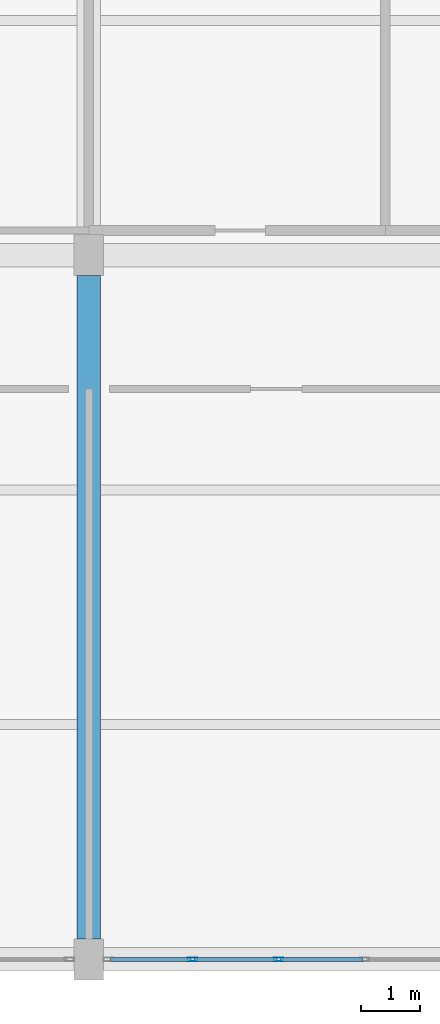
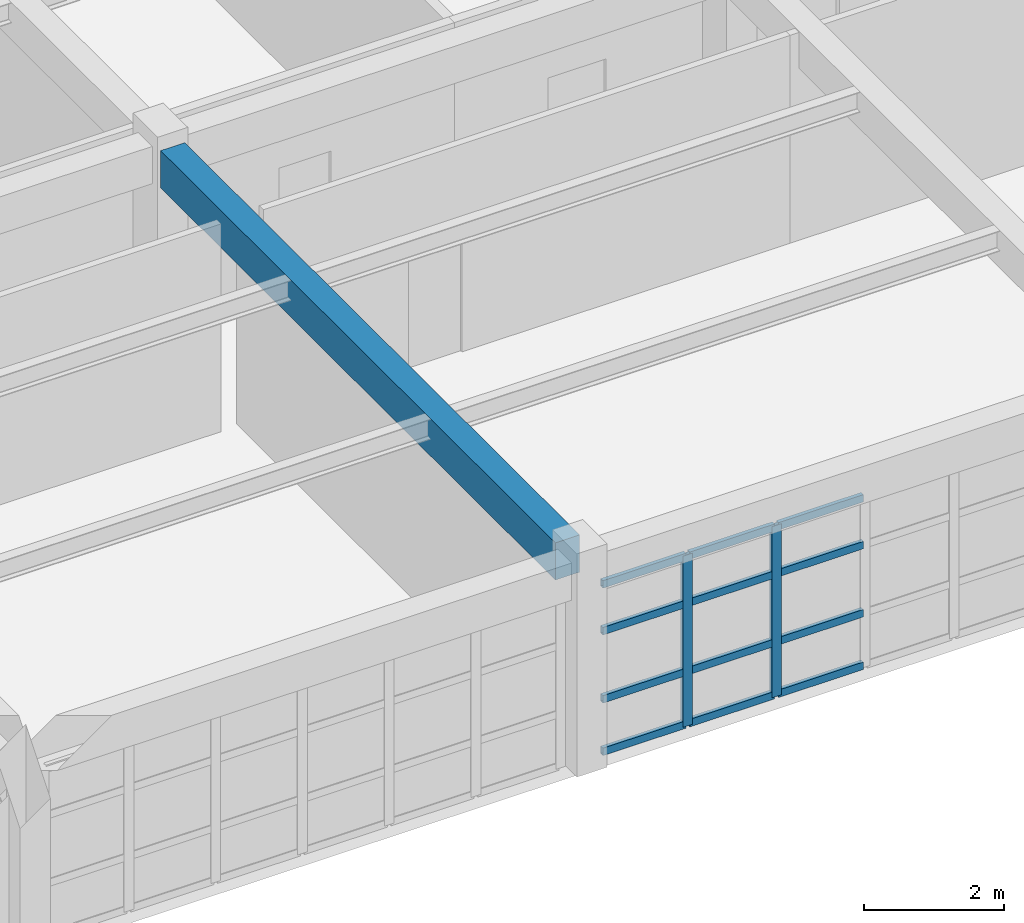
# One storey, part 24 of 150: 14 members, 1 beam, 1 element without a shape of its own.
"""IFC4 building model written with IfcOpenShell, lengths in metres."""

from ifc_helpers import new_model, si_unit, direction, frame, origin, origin_2d, place, context, subcontext, project, spatial, rectangle, hollow_rectangle, extrude, material, material_profile, profile_set, type_object, element, aggregate, save


model = new_model("IFC4")

# Units and contexts
model_context = context("Model", 3, precision=1e-05, world=origin(), true_north=direction((0.0, 1.0)))
body_context = subcontext(model_context, "Body", "Model", "MODEL_VIEW")
ifc_project = project(units=[si_unit("LENGTHUNIT", "METRE"), si_unit("AREAUNIT", "SQUARE_METRE"), si_unit("VOLUMEUNIT", "CUBIC_METRE"), si_unit("PLANEANGLEUNIT", "RADIAN"), si_unit("MASSUNIT", "GRAM", prefix="KILO")], contexts=[model_context])

# Site, building, storey
site_placement = place(None, origin())
site = spatial("IfcSite", under=ifc_project, at=site_placement, CompositionType="ELEMENT")
building_placement = place(site_placement, origin())
building = spatial("IfcBuilding", under=site, at=building_placement, Name="Kestramere Prow Commons", CompositionType="ELEMENT")
storey_placement = place(building_placement, frame((0.0, 0.0, 4.5)))
storey = spatial("IfcBuildingStorey", under=building, at=storey_placement, Name="L01", CompositionType="ELEMENT", Elevation=4.5)

# Beam
ifc_material_1 = material(Name="Precast concrete C40/50", Category="concrete")
ifc_material_profile_1 = material_profile(ifc_material_1, rectangle(XDim=0.39990234375, YDim=0.64990234375, at=origin_2d()), Name="PC-BM 400x650")
ifc_profile_set_1 = profile_set([ifc_material_profile_1], Name="Precast concrete C40/50")
beam_type = type_object("IfcBeamType", Name="BM-MK-01 PC-BM 400x650", PredefinedType="BEAM", material=ifc_profile_set_1)
beam_placement = place(storey_placement, frame((94.199951171875, 0.35009765625, 3.324951171875), z_axis=(0.0, 1.0, 0.0), x_axis=(-1.0, 0.0, 0.0)))
element("IfcBeam", 1, at=beam_placement, inside=storey, type_object=beam_type, Name="Market Spine L01 Beam Y 5-1", PredefinedType="BEAM", context=body_context, shape_type="SweptSolid", body=[
    extrude(rectangle(XDim=0.39990234375, YDim=0.64990234375, at=origin_2d()), origin(), (0.0, 0.0, 1.0), 11.2998046875),
])

# Curtain wall, members
ifc_material_2 = material(Name="Anodised Aluminium and Low-E Glass", Category="aluminium")
curtain_wall_type = type_object("IfcCurtainWallType", Name="CW-26 Glazed Curtain Wall 8800x2990", PredefinedType="USERDEFINED", material=ifc_material_2)
curtain_wall_placement = place(storey_placement, origin())
curtain_wall = element("IfcCurtainWall", 2, at=curtain_wall_placement, inside=storey, type_object=curtain_wall_type, Name="Market L01 South Shopfront 5", ObjectType="GLAZED CURTAIN WALL", PredefinedType="USERDEFINED")
ifc_material_3 = material(Name="Anodised Aluminium 6063-T6", Category="aluminium")
ifc_material_profile_2 = material_profile(ifc_material_3, hollow_rectangle(XDim=0.06494140625, YDim=0.159912109375, WallThickness=0.00390625, at=origin_2d()), Name="ALU-MUL 65x160")
ifc_profile_set_2 = profile_set([ifc_material_profile_2], Name="Anodised Aluminium 6063-T6")
member_type_1 = type_object("IfcMemberType", Name="CW-MUL-65x160", PredefinedType="MULLION", material=ifc_profile_set_2)
member_1_placement = place(storey_placement, frame((97.433349609375, 0.0, 0.0), z_axis=(0.0, 0.0, 1.0), x_axis=(0.0, -1.0, 0.0)))
member_1 = element("IfcMember", 3, at=member_1_placement, type_object=member_type_1, Name="CW-26 mullion 5", PredefinedType="MULLION", context=body_context, shape_type="SweptSolid", body=[
    extrude(hollow_rectangle(XDim=0.06494140625, YDim=0.159912109375, WallThickness=0.00390625, at=origin_2d()), origin(), (0.0, 0.0, 1.0), 2.989990234375),
])
member_2_placement = place(storey_placement, frame((95.966552734375, 0.0, 0.0), z_axis=(0.0, 0.0, 1.0), x_axis=(0.0, -1.0, 0.0)))
member_2 = element("IfcMember", 4, at=member_2_placement, type_object=member_type_1, Name="CW-26 mullion 6", PredefinedType="MULLION", context=body_context, shape_type="SweptSolid", body=[
    extrude(hollow_rectangle(XDim=0.06494140625, YDim=0.159912109375, WallThickness=0.00390625, at=origin_2d()), origin(), (0.0, 0.0, 1.0), 2.989990234375),
])
ifc_material_profile_3 = material_profile(ifc_material_3, hollow_rectangle(XDim=0.06494140625, YDim=0.1298828125, WallThickness=0.00390625, at=origin_2d()), Name="ALU-TRN 65x130")
ifc_profile_set_3 = profile_set([ifc_material_profile_3], Name="Anodised Aluminium 6063-T6")
member_type_2 = type_object("IfcMemberType", Name="CW-TRN-65x130", PredefinedType="USERDEFINED", material=ifc_profile_set_3)
member_3_placement = place(storey_placement, frame((98.867431640625, 0.0, 0.032470703125), z_axis=(-1.0, 0.0, 0.0), x_axis=(0.0, -1.0, 0.0)))
member_3 = element("IfcMember", 5, at=member_3_placement, type_object=member_type_2, Name="CW-26 transom 4.1", ObjectType="TRANSOM", PredefinedType="USERDEFINED", context=body_context, shape_type="SweptSolid", body=[
    extrude(hollow_rectangle(XDim=0.06494140625, YDim=0.1298828125, WallThickness=0.00390625, at=origin_2d()), origin(), (0.0, 0.0, 1.0), 1.401611328125),
])
member_4_placement = place(storey_placement, frame((98.867431640625, 0.0, 0.949951171875), z_axis=(-1.0, 0.0, 0.0), x_axis=(0.0, -1.0, 0.0)))
member_4 = element("IfcMember", 6, at=member_4_placement, type_object=member_type_2, Name="CW-26 transom 4.2", ObjectType="TRANSOM", PredefinedType="USERDEFINED", context=body_context, shape_type="SweptSolid", body=[
    extrude(hollow_rectangle(XDim=0.06494140625, YDim=0.1298828125, WallThickness=0.00390625, at=origin_2d()), origin(), (0.0, 0.0, 1.0), 1.401611328125),
])
member_5_placement = place(storey_placement, frame((98.867431640625, 0.0, 2.139892578125), z_axis=(-1.0, 0.0, 0.0), x_axis=(0.0, -1.0, 0.0)))
member_5 = element("IfcMember", 7, at=member_5_placement, type_object=member_type_2, Name="CW-26 transom 4.3", ObjectType="TRANSOM", PredefinedType="USERDEFINED", context=body_context, shape_type="SweptSolid", body=[
    extrude(hollow_rectangle(XDim=0.06494140625, YDim=0.1298828125, WallThickness=0.00390625, at=origin_2d()), origin(), (0.0, 0.0, 1.0), 1.401611328125),
])
member_6_placement = place(storey_placement, frame((98.867431640625, 0.0, 2.95751953125), z_axis=(-1.0, 0.0, 0.0), x_axis=(0.0, -1.0, 0.0)))
member_6 = element("IfcMember", 8, at=member_6_placement, type_object=member_type_2, Name="CW-26 transom 4.4", ObjectType="TRANSOM", PredefinedType="USERDEFINED", context=body_context, shape_type="SweptSolid", body=[
    extrude(hollow_rectangle(XDim=0.06494140625, YDim=0.1298828125, WallThickness=0.00390625, at=origin_2d()), origin(), (0.0, 0.0, 1.0), 1.401611328125),
])
member_7_placement = place(storey_placement, frame((97.40087890625, 0.0, 0.032470703125), z_axis=(-1.0, 0.0, 0.0), x_axis=(0.0, -1.0, 0.0)))
member_7 = element("IfcMember", 9, at=member_7_placement, type_object=member_type_2, Name="CW-26 transom 5.1", ObjectType="TRANSOM", PredefinedType="USERDEFINED", context=body_context, shape_type="SweptSolid", body=[
    extrude(hollow_rectangle(XDim=0.06494140625, YDim=0.1298828125, WallThickness=0.00390625, at=origin_2d()), origin(), (0.0, 0.0, 1.0), 1.401611328125),
])
member_8_placement = place(storey_placement, frame((97.40087890625, 0.0, 0.949951171875), z_axis=(-1.0, 0.0, 0.0), x_axis=(0.0, -1.0, 0.0)))
member_8 = element("IfcMember", 10, at=member_8_placement, type_object=member_type_2, Name="CW-26 transom 5.2", ObjectType="TRANSOM", PredefinedType="USERDEFINED", context=body_context, shape_type="SweptSolid", body=[
    extrude(hollow_rectangle(XDim=0.06494140625, YDim=0.1298828125, WallThickness=0.00390625, at=origin_2d()), origin(), (0.0, 0.0, 1.0), 1.401611328125),
])
member_9_placement = place(storey_placement, frame((97.40087890625, 0.0, 2.139892578125), z_axis=(-1.0, 0.0, 0.0), x_axis=(0.0, -1.0, 0.0)))
member_9 = element("IfcMember", 11, at=member_9_placement, type_object=member_type_2, Name="CW-26 transom 5.3", ObjectType="TRANSOM", PredefinedType="USERDEFINED", context=body_context, shape_type="SweptSolid", body=[
    extrude(hollow_rectangle(XDim=0.06494140625, YDim=0.1298828125, WallThickness=0.00390625, at=origin_2d()), origin(), (0.0, 0.0, 1.0), 1.401611328125),
])
member_10_placement = place(storey_placement, frame((97.40087890625, 0.0, 2.95751953125), z_axis=(-1.0, 0.0, 0.0), x_axis=(0.0, -1.0, 0.0)))
member_10 = element("IfcMember", 12, at=member_10_placement, type_object=member_type_2, Name="CW-26 transom 5.4", ObjectType="TRANSOM", PredefinedType="USERDEFINED", context=body_context, shape_type="SweptSolid", body=[
    extrude(hollow_rectangle(XDim=0.06494140625, YDim=0.1298828125, WallThickness=0.00390625, at=origin_2d()), origin(), (0.0, 0.0, 1.0), 1.401611328125),
])
member_11_placement = place(storey_placement, frame((95.93408203125, 0.0, 0.032470703125), z_axis=(-1.0, 0.0, 0.0), x_axis=(0.0, -1.0, 0.0)))
member_11 = element("IfcMember", 13, at=member_11_placement, type_object=member_type_2, Name="CW-26 transom 6.1", ObjectType="TRANSOM", PredefinedType="USERDEFINED", context=body_context, shape_type="SweptSolid", body=[
    extrude(hollow_rectangle(XDim=0.06494140625, YDim=0.1298828125, WallThickness=0.00390625, at=origin_2d()), origin(), (0.0, 0.0, 1.0), 1.369140625),
])
member_12_placement = place(storey_placement, frame((95.93408203125, 0.0, 0.949951171875), z_axis=(-1.0, 0.0, 0.0), x_axis=(0.0, -1.0, 0.0)))
member_12 = element("IfcMember", 14, at=member_12_placement, type_object=member_type_2, Name="CW-26 transom 6.2", ObjectType="TRANSOM", PredefinedType="USERDEFINED", context=body_context, shape_type="SweptSolid", body=[
    extrude(hollow_rectangle(XDim=0.06494140625, YDim=0.1298828125, WallThickness=0.00390625, at=origin_2d()), origin(), (0.0, 0.0, 1.0), 1.369140625),
])
member_13_placement = place(storey_placement, frame((95.93408203125, 0.0, 2.139892578125), z_axis=(-1.0, 0.0, 0.0), x_axis=(0.0, -1.0, 0.0)))
member_13 = element("IfcMember", 15, at=member_13_placement, type_object=member_type_2, Name="CW-26 transom 6.3", ObjectType="TRANSOM", PredefinedType="USERDEFINED", context=body_context, shape_type="SweptSolid", body=[
    extrude(hollow_rectangle(XDim=0.06494140625, YDim=0.1298828125, WallThickness=0.00390625, at=origin_2d()), origin(), (0.0, 0.0, 1.0), 1.369140625),
])
member_14_placement = place(storey_placement, frame((95.93408203125, 0.0, 2.95751953125), z_axis=(-1.0, 0.0, 0.0), x_axis=(0.0, -1.0, 0.0)))
member_14 = element("IfcMember", 16, at=member_14_placement, type_object=member_type_2, Name="CW-26 transom 6.4", ObjectType="TRANSOM", PredefinedType="USERDEFINED", context=body_context, shape_type="SweptSolid", body=[
    extrude(hollow_rectangle(XDim=0.06494140625, YDim=0.1298828125, WallThickness=0.00390625, at=origin_2d()), origin(), (0.0, 0.0, 1.0), 1.369140625),
])
aggregate(curtain_wall, [member_1, member_2, member_3, member_4, member_5, member_6, member_7, member_8, member_9, member_10, member_11, member_12, member_13, member_14])

save(model, "model.ifc")
